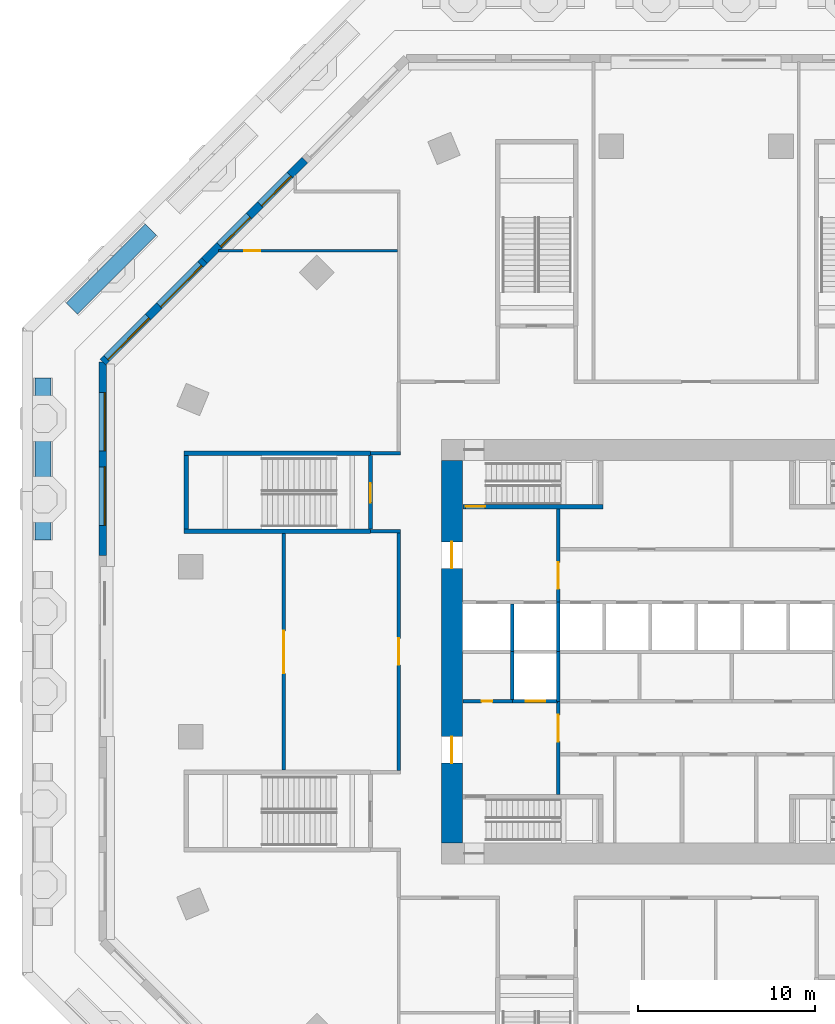
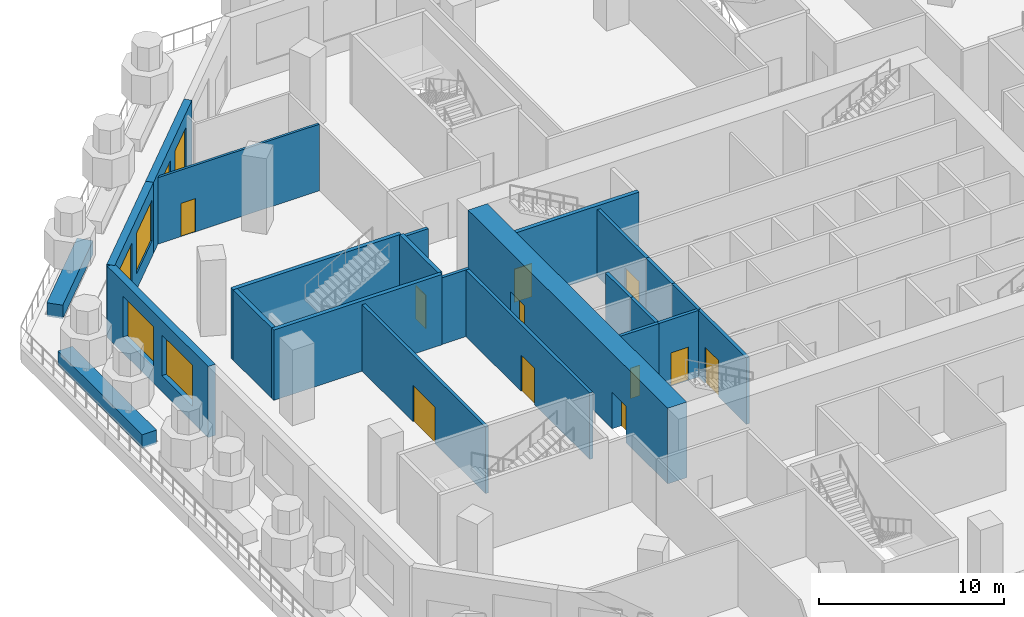
# One storey, part 5 of 13: 24 walls, 11 doors, 6 windows, 17 openings.
"""IFC4 building model written with IfcOpenShell, lengths in metres."""

import ifcopenshell
import ifcopenshell.guid

model = None  # the IFC model being written
_history = None  # IfcOwnerHistory: only IFC2X3 demands one
_inside = {}  # id of a spatial element -> (the spatial element, [elements in it])
_under = {}  # id of a project, library or spatial element -> (it, [spatial elements below it])
_declared = {}  # id of a project -> (the project, [libraries it declares])
_typed = {}  # id of a type object -> (the type object, [elements of that type])
_made_of = {}  # id of a material, layer set ... -> (it, [elements and type objects made of it])


def new_model(schema):
    """Start an empty IFC model of exactly this schema.

    Asked for "IFC4X3", IfcOpenShell would pick the latest addendum, in which some entities
    have other attributes; the version numbers below select the first issue.
    IFC2X3 requires an IfcOwnerHistory on every rooted entity: one is made here for all.
    """
    global model, _history
    if schema == "IFC4X3":
        model = ifcopenshell.file(schema_version=(4, 3, 0, 0))
    else:
        model = ifcopenshell.file(schema=schema)
    _inside.clear()
    _under.clear()
    _declared.clear()
    _typed.clear()
    _made_of.clear()
    _history = None
    if model.schema == "IFC2X3":
        org = make("IfcOrganization", Name="unknown")
        user = make(
            "IfcPersonAndOrganization",
            ThePerson=make("IfcPerson", FamilyName="unknown"),
            TheOrganization=org,
        )
        app = make(
            "IfcApplication",
            ApplicationDeveloper=org,
            Version="unknown",
            ApplicationFullName="unknown",
            ApplicationIdentifier="unknown",
        )
        _history = make(
            "IfcOwnerHistory",
            OwningUser=user,
            OwningApplication=app,
            ChangeAction="ADDED",
            CreationDate=0,
        )
    return model


def make(cls, **values):
    """One entity of the class cls with the attributes given. An attribute that is None is left unset."""
    return model.create_entity(
        cls, **{name: value for name, value in values.items() if value is not None}
    )


def rooted(cls, **values):
    """An entity with a GlobalId (a new one), such as an element, a storey or a relation."""
    return make(cls, GlobalId=ifcopenshell.guid.new(), OwnerHistory=_history, **values)


def si_unit(unit_type, name, prefix=None):
    """IfcSIUnit, for example si_unit("LENGTHUNIT", "METRE", prefix="MILLI")."""
    return make("IfcSIUnit", UnitType=unit_type, Prefix=prefix, Name=name)


def assignment(units):
    """IfcUnitAssignment: the units of a project."""
    return None if units is None else make("IfcUnitAssignment", Units=units)


def point(xyz):
    """IfcCartesianPoint."""
    return None if xyz is None else make("IfcCartesianPoint", Coordinates=xyz)


def direction(xyz):
    """IfcDirection."""
    return None if xyz is None else make("IfcDirection", DirectionRatios=xyz)


def frame(location, z_axis=None, x_axis=None):
    """IfcAxis2Placement3D, a coordinate frame: its origin and axes. An axis left out is left unset."""
    return make(
        "IfcAxis2Placement3D",
        Location=point(location),
        Axis=direction(z_axis),
        RefDirection=direction(x_axis),
    )


def frame_2d(location, x_axis=None):
    """IfcAxis2Placement2D, a coordinate frame in the plane: its origin and x axis."""
    return make(
        "IfcAxis2Placement2D", Location=point(location), RefDirection=direction(x_axis)
    )


def origin():
    """The frame at (0, 0, 0) with its axes left unset."""
    return frame((0.0, 0.0, 0.0))


def place(relative_to, where):
    """IfcLocalPlacement: puts the frame where relative to a parent placement (None: the world)."""
    return make(
        "IfcLocalPlacement", PlacementRelTo=relative_to, RelativePlacement=where
    )


def context(
    kind, dimensions, precision=None, world=None, true_north=None, identifier=None
):
    """IfcGeometricRepresentationContext, for example the 3D "Model" context."""
    return make(
        "IfcGeometricRepresentationContext",
        ContextIdentifier=identifier,
        ContextType=kind,
        CoordinateSpaceDimension=dimensions,
        Precision=precision,
        WorldCoordinateSystem=world,
        TrueNorth=true_north,
    )


def subcontext(parent, identifier, kind, view, scale=None):
    """IfcGeometricRepresentationSubContext, for example "Body" below "Model"."""
    return make(
        "IfcGeometricRepresentationSubContext",
        ContextIdentifier=identifier,
        ContextType=kind,
        ParentContext=parent,
        TargetScale=scale,
        TargetView=view,
    )


def project(units=None, contexts=None):
    """IfcProject with its units and contexts."""
    return rooted(
        "IfcProject",
        Name="project",
        RepresentationContexts=contexts,
        UnitsInContext=assignment(units),
    )


def spatial(cls, under=None, at=None, **own):
    """A site, building, storey or space (cls), placed at a placement, below another one or the project."""
    s = rooted(cls, ObjectPlacement=at, **own)
    if under is not None:
        _under.setdefault(under.id(), (under, []))[1].append(s)
    return s


def profile(cls, at=None, kind="AREA", **sizes):
    """A parametric profile (cls). Its sizes go by their IFC names, for example OverallWidth=200.0."""
    return make(cls, ProfileType=kind, Position=at, **sizes)


def rectangle(**sizes):
    """IfcRectangleProfileDef."""
    return profile("IfcRectangleProfileDef", **sizes)


def extrude(swept, where, along, depth):
    """IfcExtrudedAreaSolid: the profile swept, set in the frame where, extruded along a direction by depth."""
    return make(
        "IfcExtrudedAreaSolid",
        SweptArea=swept,
        Position=where,
        ExtrudedDirection=direction(along),
        Depth=depth,
    )


def shape(context_of_items, identifier, shape_type, items):
    """IfcShapeRepresentation: the items that make up one representation, for example the "Body"."""
    return make(
        "IfcShapeRepresentation",
        ContextOfItems=context_of_items,
        RepresentationIdentifier=identifier,
        RepresentationType=shape_type,
        Items=items,
    )


def material(Name=None, Category=None):
    """IfcMaterial."""
    return make("IfcMaterial", Name=Name, Category=Category)


def layer(
    of_material, thickness, ventilated=None, Name=None, Category=None, Priority=None
):
    """IfcMaterialLayer: one layer of a wall or slab, of a material (None: an air gap)."""
    return make(
        "IfcMaterialLayer",
        Material=of_material,
        LayerThickness=thickness,
        IsVentilated=ventilated,
        Name=Name,
        Category=Category,
        Priority=Priority,
    )


def layer_set(layers, Name=None):
    """IfcMaterialLayerSet."""
    return make("IfcMaterialLayerSet", MaterialLayers=layers, LayerSetName=Name)


def made_of(thing, what):
    """Note that an element or type object is made of a material, layer set ...; save() writes the relation."""
    if what is not None:
        _made_of.setdefault(what.id(), (what, []))[1].append(thing)
    return thing


def type_object(cls, material=None, **own):
    """A type object (cls), such as IfcWallType, which elements share."""
    return made_of(rooted(cls, **own), material)


def element(
    cls,
    number,
    at=None,
    inside=None,
    cuts=None,
    type_object=None,
    material=None,
    context=None,
    identifier="Body",
    shape_type=None,
    held_by="IfcProductDefinitionShape",
    body=None,
    shapes=None,
    **own,
):
    """One element of the class cls, such as IfcWall. Its Tag is "e" and its number.

    at: its placement. inside: the storey or other place that contains it. cuts: it is an
    opening in that element (IfcRelVoidsElement). A single representation is given by context,
    identifier, shape_type and body (its items); several are given by shapes. held_by: the class
    of the entity that holds the representations. save() writes the other relations.
    """
    e = rooted(cls, Tag="e%d" % number, ObjectPlacement=at, **own)
    if body is not None:
        shapes = [shape(context, identifier, shape_type, body)]
    if shapes is not None:
        e.Representation = make(held_by, Representations=shapes)
    if inside is not None:
        _inside.setdefault(inside.id(), (inside, []))[1].append(e)
    if cuts is not None:
        rooted(
            "IfcRelVoidsElement", RelatingBuildingElement=cuts, RelatedOpeningElement=e
        )
    if type_object is not None:
        _typed.setdefault(type_object.id(), (type_object, []))[1].append(e)
    return made_of(e, material)


def fill(opening, filler):
    """IfcRelFillsElement: the door or window that sits in an opening."""
    return rooted(
        "IfcRelFillsElement",
        RelatingOpeningElement=opening,
        RelatedBuildingElement=filler,
    )


def aggregate(whole, parts):
    """IfcRelAggregates: a whole, such as a stair, and the parts it consists of."""
    return rooted("IfcRelAggregates", RelatingObject=whole, RelatedObjects=parts)


def save(model, path):
    """Write the relations noted so far, then the file.

    IfcRelAggregates (storeys below a building ...), IfcRelContainedInSpatialStructure (elements
    in a storey), IfcRelDefinesByType, IfcRelAssociatesMaterial and IfcRelDeclares: one each for
    every whole, place, type object, material and project.
    """
    for whole, parts in _under.values():
        aggregate(whole, parts)
    for where, things in _inside.values():
        rooted(
            "IfcRelContainedInSpatialStructure",
            RelatedElements=things,
            RelatingStructure=where,
        )
    for kind, things in _typed.values():
        rooted("IfcRelDefinesByType", RelatedObjects=things, RelatingType=kind)
    for what, things in _made_of.values():
        rooted("IfcRelAssociatesMaterial", RelatedObjects=things, RelatingMaterial=what)
    for by, libraries in _declared.values():
        rooted("IfcRelDeclares", RelatingContext=by, RelatedDefinitions=libraries)
    model.write(path)


model = new_model("IFC4")

# Units and contexts
model_context = context("Model", 3, precision=1e-05, world=origin(), true_north=direction((0.0, 1.0)))
body_context = subcontext(model_context, "Body", "Model", "MODEL_VIEW")
ifc_project = project(units=[si_unit("LENGTHUNIT", "METRE"), si_unit("AREAUNIT", "SQUARE_METRE"), si_unit("VOLUMEUNIT", "CUBIC_METRE"), si_unit("PLANEANGLEUNIT", "RADIAN"), si_unit("MASSUNIT", "GRAM", prefix="KILO")], contexts=[model_context])

# Site, building, storey
site_placement = place(None, origin())
site = spatial("IfcSite", under=ifc_project, at=site_placement, CompositionType="ELEMENT")
building_placement = place(site_placement, origin())
building = spatial("IfcBuilding", under=site, at=building_placement, Name="Msitu Wima Residences", CompositionType="ELEMENT")
storey_placement = place(building_placement, frame((0.0, 0.0, 16.0)))
storey = spatial("IfcBuildingStorey", under=building, at=storey_placement, Name="L03", CompositionType="ELEMENT", Elevation=16.0)

# Wall, openings, windows
ifc_material_1 = material(Name="Brick (red buff mix), cavity wall of two leaves", Category="masonry")
ifc_layer_1 = layer(ifc_material_1, 0.449951171875)
ifc_layer_set_1 = layer_set([ifc_layer_1], Name="Brick (red buff mix), cavity wall of two leaves")
wall_type_1 = type_object("IfcWallType", Name="Brick infill wall BW450 podium", PredefinedType="ELEMENTEDWALL", material=ifc_layer_set_1)
wall_1_placement = place(storey_placement, frame((-22.101806640625, 27.780517578125, 0.0), z_axis=(0.0, 0.0, 1.0), x_axis=(-0.707106781187, -0.707106781187, 0.0)))
wall_1 = element("IfcWall", 1, at=wall_1_placement, inside=storey, type_object=wall_type_1, Name="Brick infill wall L03 NW1", PredefinedType="ELEMENTEDWALL", context=body_context, shape_type="SweptSolid", body=[
    extrude(rectangle(XDim=8.031005859375, YDim=0.449951171875, at=frame_2d((4.015625, 0.0))), origin(), (0.0, 0.0, 1.0), 4.699951171875),
])
opening_1_placement = place(wall_1_placement, frame((1.208251953125, 0.0, 1.050048828125)))
opening_1 = element("IfcOpeningElement", 2, at=opening_1_placement, cuts=wall_1, Name="Opening W03.017", PredefinedType="OPENING", context=body_context, shape_type="SweptSolid", body=[
    extrude(rectangle(XDim=2.360107421875, YDim=2.699951171875, at=frame_2d((1.18017578125, 1.35009765625))), frame((0.0, 0.23486328125, 0.0), z_axis=(0.0, -1.0, 0.0), x_axis=(1.0, 0.0, 0.0)), (0.0, 0.0, 1.0), 0.469970703125),
])
opening_2_placement = place(wall_1_placement, frame((4.46533203125, 0.0, 1.050048828125)))
opening_2 = element("IfcOpeningElement", 3, at=opening_2_placement, cuts=wall_1, Name="Opening W03.018", PredefinedType="OPENING", context=body_context, shape_type="SweptSolid", body=[
    extrude(rectangle(XDim=2.360107421875, YDim=2.699951171875, at=frame_2d((1.18017578125, 1.35009765625))), frame((0.0, 0.23486328125, 0.0), z_axis=(0.0, -1.0, 0.0), x_axis=(1.0, 0.0, 0.0)), (0.0, 0.0, 1.0), 0.469970703125),
])
ifc_material_2 = material(Name="Anodised aluminium, bronze finish, clear low-emissivity double glazing", Category="aluminium")
window_type_1 = type_object("IfcWindowType", Name="Window W2360x2700", PartitioningType="DOUBLE_PANEL_VERTICAL", PredefinedType="WINDOW", material=ifc_material_2)
window_1_placement = place(opening_1_placement, origin())
window_1 = element("IfcWindow", 4, at=window_1_placement, inside=storey, type_object=window_type_1, Name="Window L03 NW1.1b", OverallHeight=2.699951171875, OverallWidth=2.360107421875, PartitioningType="SINGLE_PANEL", PredefinedType="WINDOW", context=body_context, shape_type="SweptSolid", body=[
    extrude(rectangle(XDim=2.360107421875, YDim=2.699951171875, at=frame_2d((1.18017578125, 1.35009765625))), frame((0.0, 0.135009765625, 0.0), z_axis=(0.0, -1.0, 0.0), x_axis=(1.0, 0.0, 0.0)), (0.0, 0.0, 1.0), 0.06005859375),
])
fill(opening_1, window_1)
window_2_placement = place(opening_2_placement, origin())
window_2 = element("IfcWindow", 5, at=window_2_placement, inside=storey, type_object=window_type_1, Name="Window L03 NW1.2a", OverallHeight=2.699951171875, OverallWidth=2.360107421875, PartitioningType="SINGLE_PANEL", PredefinedType="WINDOW", context=body_context, shape_type="SweptSolid", body=[
    extrude(rectangle(XDim=2.360107421875, YDim=2.699951171875, at=frame_2d((1.18017578125, 1.35009765625))), frame((0.0, 0.135009765625, 0.0), z_axis=(0.0, -1.0, 0.0), x_axis=(1.0, 0.0, 0.0)), (0.0, 0.0, 1.0), 0.06005859375),
])
fill(opening_2, window_2)

wall_2_placement = place(storey_placement, frame((-27.780517578125, 22.101806640625, 0.0), z_axis=(0.0, 0.0, 1.0), x_axis=(-0.707091755064, -0.70712180699, 0.0)))
wall_2 = element("IfcWall", 6, at=wall_2_placement, inside=storey, type_object=wall_type_1, Name="Brick infill wall L03 NW2", PredefinedType="ELEMENTEDWALL", context=body_context, shape_type="SweptSolid", body=[
    extrude(rectangle(XDim=8.1240234375, YDim=0.449951171875, at=frame_2d((4.06201171875, 0.0))), origin(), (0.0, 0.0, 1.0), 4.699951171875),
])
opening_3_placement = place(wall_2_placement, frame((0.31201171875, 0.0, 1.050048828125)))
opening_3 = element("IfcOpeningElement", 7, at=opening_3_placement, cuts=wall_2, Name="Opening W03.019", PredefinedType="OPENING", context=body_context, shape_type="SweptSolid", body=[
    extrude(rectangle(XDim=3.300048828125, YDim=2.699951171875, at=frame_2d((1.64990234375, 1.35009765625))), frame((0.0, 0.23486328125, 0.0), z_axis=(0.0, -1.0, 0.0), x_axis=(1.0, 0.0, 0.0)), (0.0, 0.0, 1.0), 0.469970703125),
])
opening_4_placement = place(wall_2_placement, frame((4.511962890625, 0.0, 1.050048828125)))
opening_4 = element("IfcOpeningElement", 8, at=opening_4_placement, cuts=wall_2, Name="Opening W03.020", PredefinedType="OPENING", context=body_context, shape_type="SweptSolid", body=[
    extrude(rectangle(XDim=3.300048828125, YDim=2.699951171875, at=frame_2d((1.64990234375, 1.35009765625))), frame((0.0, 0.23486328125, 0.0), z_axis=(0.0, -1.0, 0.0), x_axis=(1.0, 0.0, 0.0)), (0.0, 0.0, 1.0), 0.469970703125),
])
window_type_2 = type_object("IfcWindowType", Name="Window W3300x2700", PartitioningType="DOUBLE_PANEL_VERTICAL", PredefinedType="WINDOW", material=ifc_material_2)
window_3_placement = place(opening_3_placement, origin())
window_3 = element("IfcWindow", 9, at=window_3_placement, inside=storey, type_object=window_type_2, Name="Window L03 NW2.1", OverallHeight=2.699951171875, OverallWidth=3.300048828125, PartitioningType="SINGLE_PANEL", PredefinedType="WINDOW", context=body_context, shape_type="SweptSolid", body=[
    extrude(rectangle(XDim=3.300048828125, YDim=2.699951171875, at=frame_2d((1.64990234375, 1.35009765625))), frame((0.0, 0.135009765625, 0.0), z_axis=(0.0, -1.0, 0.0), x_axis=(1.0, 0.0, 0.0)), (0.0, 0.0, 1.0), 0.06005859375),
])
fill(opening_3, window_3)
window_4_placement = place(opening_4_placement, origin())
window_4 = element("IfcWindow", 10, at=window_4_placement, inside=storey, type_object=window_type_2, Name="Window L03 NW2.2", OverallHeight=2.699951171875, OverallWidth=3.300048828125, PartitioningType="SINGLE_PANEL", PredefinedType="WINDOW", context=body_context, shape_type="SweptSolid", body=[
    extrude(rectangle(XDim=3.300048828125, YDim=2.699951171875, at=frame_2d((1.64990234375, 1.35009765625))), frame((0.0, 0.135009765625, 0.0), z_axis=(0.0, -1.0, 0.0), x_axis=(1.0, 0.0, 0.0)), (0.0, 0.0, 1.0), 0.06005859375),
])
fill(opening_4, window_4)

wall_3_placement = place(storey_placement, frame((-33.52490234375, 16.357177734375, 0.0), z_axis=(0.0, 0.0, 1.0), x_axis=(0.0, -1.0, 0.0)))
wall_3 = element("IfcWall", 11, at=wall_3_placement, inside=storey, type_object=wall_type_1, Name="Brick infill wall L03 W0", PredefinedType="ELEMENTEDWALL", context=body_context, shape_type="SweptSolid", body=[
    extrude(rectangle(XDim=10.935791015625, YDim=0.449951171875, at=frame_2d((5.4677734375, 0.0))), origin(), (0.0, 0.0, 1.0), 4.699951171875),
])
opening_5_placement = place(wall_3_placement, frame((1.718017578125, 0.0, 1.050048828125)))
opening_5 = element("IfcOpeningElement", 12, at=opening_5_placement, cuts=wall_3, Name="Opening W03.036", PredefinedType="OPENING", context=body_context, shape_type="SweptSolid", body=[
    extrude(rectangle(XDim=3.300048828125, YDim=2.699951171875, at=frame_2d((1.64990234375, 1.35009765625))), frame((0.0, 0.23486328125, 0.0), z_axis=(0.0, -1.0, 0.0), x_axis=(1.0, 0.0, 0.0)), (0.0, 0.0, 1.0), 0.469970703125),
])
opening_6_placement = place(wall_3_placement, frame((5.91796875, 0.0, 1.050048828125)))
opening_6 = element("IfcOpeningElement", 13, at=opening_6_placement, cuts=wall_3, Name="Opening W03.037", PredefinedType="OPENING", context=body_context, shape_type="SweptSolid", body=[
    extrude(rectangle(XDim=3.300048828125, YDim=2.699951171875, at=frame_2d((1.64990234375, 1.35009765625))), frame((0.0, 0.23486328125, 0.0), z_axis=(0.0, -1.0, 0.0), x_axis=(1.0, 0.0, 0.0)), (0.0, 0.0, 1.0), 0.469970703125),
])
window_5_placement = place(opening_5_placement, origin())
window_5 = element("IfcWindow", 14, at=window_5_placement, inside=storey, type_object=window_type_2, Name="Window L03 W0.1", OverallHeight=2.699951171875, OverallWidth=3.300048828125, PartitioningType="SINGLE_PANEL", PredefinedType="WINDOW", context=body_context, shape_type="SweptSolid", body=[
    extrude(rectangle(XDim=3.300048828125, YDim=2.699951171875, at=frame_2d((1.64990234375, 1.35009765625))), frame((0.0, 0.135009765625, 0.0), z_axis=(0.0, -1.0, 0.0), x_axis=(1.0, 0.0, 0.0)), (0.0, 0.0, 1.0), 0.06005859375),
])
fill(opening_5, window_5)
window_6_placement = place(opening_6_placement, origin())
window_6 = element("IfcWindow", 15, at=window_6_placement, inside=storey, type_object=window_type_2, Name="Window L03 W0.2", OverallHeight=2.699951171875, OverallWidth=3.300048828125, PartitioningType="SINGLE_PANEL", PredefinedType="WINDOW", context=body_context, shape_type="SweptSolid", body=[
    extrude(rectangle(XDim=3.300048828125, YDim=2.699951171875, at=frame_2d((1.64990234375, 1.35009765625))), frame((0.0, 0.135009765625, 0.0), z_axis=(0.0, -1.0, 0.0), x_axis=(1.0, 0.0, 0.0)), (0.0, 0.0, 1.0), 0.06005859375),
])
fill(opening_6, window_6)

# Wall, openings, doors
ifc_material_3 = material(Name="Concrete C80/95", Category="concrete")
ifc_layer_2 = layer(ifc_material_3, 1.199951171875)
ifc_layer_set_2 = layer_set([ifc_layer_2], Name="Concrete C80/95")
wall_type_2 = type_object("IfcWallType", Name="Core wall CW1200 C80/95", PredefinedType="SHEAR", material=ifc_layer_set_2)
wall_4_placement = place(storey_placement, frame((-13.800048828125, -10.800048828125, 0.0), z_axis=(0.0, 0.0, 1.0), x_axis=(0.0, 1.0, 0.0)))
wall_4 = element("IfcWall", 16, at=wall_4_placement, inside=storey, type_object=wall_type_2, Name="Core wall", PredefinedType="SHEAR", context=body_context, shape_type="SweptSolid", body=[
    extrude(rectangle(XDim=21.60009765625, YDim=1.199951171875, at=frame_2d((10.800048828125, 0.0))), origin(), (0.0, 0.0, 1.0), 5.0),
])
opening_7_placement = place(wall_4_placement, frame((15.5, 0.0, 0.0)))
opening_7 = element("IfcOpeningElement", 17, at=opening_7_placement, cuts=wall_4, Name="Opening D03.050", PredefinedType="OPENING", context=body_context, shape_type="SweptSolid", body=[
    extrude(rectangle(XDim=1.5, YDim=2.39990234375, at=frame_2d((0.75, 1.199951171875))), frame((0.0, 0.60986328125, 0.0), z_axis=(0.0, -1.0, 0.0), x_axis=(1.0, 0.0, 0.0)), (0.0, 0.0, 1.0), 1.219970703125),
])
opening_8_placement = place(wall_4_placement, frame((4.5, 0.0, 0.0)))
opening_8 = element("IfcOpeningElement", 18, at=opening_8_placement, cuts=wall_4, Name="Opening D03.051", PredefinedType="OPENING", context=body_context, shape_type="SweptSolid", body=[
    extrude(rectangle(XDim=1.5, YDim=2.39990234375, at=frame_2d((0.75, 1.199951171875))), frame((0.0, 0.60986328125, 0.0), z_axis=(0.0, -1.0, 0.0), x_axis=(1.0, 0.0, 0.0)), (0.0, 0.0, 1.0), 1.219970703125),
])
ifc_material_4 = material(Name="Steel framed glazed door, fire resisting", Category="steel")
door_type_1 = type_object("IfcDoorType", Name="Lobby door D07 1500x2400", OperationType="DOUBLE_DOOR_SINGLE_SWING", PredefinedType="DOOR", material=ifc_material_4)
door_1_placement = place(opening_7_placement, origin())
door_1 = element("IfcDoor", 19, at=door_1_placement, inside=storey, type_object=door_type_1, Name="Lobby door", OperationType="DOUBLE_DOOR_SINGLE_SWING", OverallHeight=2.39990234375, OverallWidth=1.5, PredefinedType="DOOR", context=body_context, shape_type="SweptSolid", body=[
    extrude(rectangle(XDim=1.5, YDim=2.39990234375, at=frame_2d((0.75, 1.199951171875))), frame((0.0, 0.02490234375, 0.0), z_axis=(0.0, -1.0, 0.0), x_axis=(1.0, 0.0, 0.0)), (0.0, 0.0, 1.0), 0.050048828125),
])
fill(opening_7, door_1)
door_2_placement = place(opening_8_placement, origin())
door_2 = element("IfcDoor", 20, at=door_2_placement, inside=storey, type_object=door_type_1, Name="Lobby door", OperationType="DOUBLE_DOOR_SINGLE_SWING", OverallHeight=2.39990234375, OverallWidth=1.5, PredefinedType="DOOR", context=body_context, shape_type="SweptSolid", body=[
    extrude(rectangle(XDim=1.5, YDim=2.39990234375, at=frame_2d((0.75, 1.199951171875))), frame((0.0, 0.02490234375, 0.0), z_axis=(0.0, -1.0, 0.0), x_axis=(1.0, 0.0, 0.0)), (0.0, 0.0, 1.0), 0.050048828125),
])
fill(opening_8, door_2)

# Wall, opening, door
ifc_material_5 = material(Name="Plaster")
ifc_layer_3 = layer(ifc_material_5, 0.011962890625, Name="Plaster")
ifc_material_6 = material(Name="Concrete blockwork", Category="masonry")
ifc_layer_4 = layer(ifc_material_6, 0.176025390625, Name="Concrete blockwork")
ifc_layer_5 = layer(ifc_material_5, 0.011962890625, Name="Plaster")
ifc_layer_set_3 = layer_set([ifc_layer_3, ifc_layer_4, ifc_layer_5], Name="Concrete blockwork")
wall_type_3 = type_object("IfcWallType", Name="Corridor wall FW200", PredefinedType="PARTITIONING", material=ifc_layer_set_3)
wall_5_placement = place(storey_placement, frame((-23.300048828125, -6.675048828125, 0.0), z_axis=(0.0, 0.0, 1.0), x_axis=(0.0, 1.0, 0.0)))
wall_5 = element("IfcWall", 21, at=wall_5_placement, inside=storey, type_object=wall_type_3, Name="Corridor wall", PredefinedType="PARTITIONING", context=body_context, shape_type="SweptSolid", body=[
    extrude(rectangle(XDim=13.35009765625, YDim=0.199951171875, at=frame_2d((6.675048828125, 0.0))), origin(), (0.0, 0.0, 1.0), 4.39990234375),
])
opening_9_placement = place(wall_5_placement, frame((5.449951171875, 0.0, 0.0)))
opening_9 = element("IfcOpeningElement", 22, at=opening_9_placement, cuts=wall_5, Name="Opening D03.030", PredefinedType="OPENING", context=body_context, shape_type="SweptSolid", body=[
    extrude(rectangle(XDim=2.39990234375, YDim=2.39990234375, at=frame_2d((1.199951171875, 1.199951171875))), frame((0.0, 0.10986328125, 0.0), z_axis=(0.0, -1.0, 0.0), x_axis=(1.0, 0.0, 0.0)), (0.0, 0.0, 1.0), 0.219970703125),
])
ifc_material_7 = material(Name="Black aluminium glazed door", Category="aluminium")
door_type_2 = type_object("IfcDoorType", Name="Amenity door D14 2400x2400", OperationType="DOUBLE_DOOR_SINGLE_SWING", PredefinedType="DOOR", material=ifc_material_7)
door_3_placement = place(opening_9_placement, origin())
door_3 = element("IfcDoor", 23, at=door_3_placement, inside=storey, type_object=door_type_2, Name="Amenity door", OperationType="DOUBLE_DOOR_SINGLE_SWING", OverallHeight=2.39990234375, OverallWidth=2.39990234375, PredefinedType="DOOR", context=body_context, shape_type="SweptSolid", body=[
    extrude(rectangle(XDim=2.39990234375, YDim=2.39990234375, at=frame_2d((1.199951171875, 1.199951171875))), frame((0.0, 0.02490234375, 0.0), z_axis=(0.0, -1.0, 0.0), x_axis=(1.0, 0.0, 0.0)), (0.0, 0.0, 1.0), 0.050048828125),
])
fill(opening_9, door_3)

# Walls
for number, where, z_axis, x_axis, name in (
    (24, (-18.39990234375, 6.800048828125, 0.0), (0.0, 0.0, 1.0), (1.0, 0.0, 0.0), "Corridor wall"),
    (25, (-18.39990234375, 11.199951171875, 0.0), (0.0, 0.0, 1.0), (1.0, 0.0, 0.0), "Corridor wall"),
):
    element("IfcWall", number, at=place(storey_placement, frame(where, z_axis=z_axis, x_axis=x_axis)), inside=storey, type_object=wall_type_3, Name=name, PredefinedType="PARTITIONING", context=body_context, shape_type="SweptSolid", body=[
        extrude(rectangle(XDim=1.699951171875, YDim=0.199951171875, at=frame_2d((0.85009765625, 0.0))), origin(), (0.0, 0.0, 1.0), 4.39990234375),
    ])

# Wall, opening, door
wall_6_placement = place(storey_placement, frame((-16.800048828125, -6.699951171875, 0.0), z_axis=(0.0, 0.0, 1.0), x_axis=(0.0, 1.0, 0.0)))
wall_6 = element("IfcWall", 26, at=wall_6_placement, inside=storey, type_object=wall_type_3, Name="Corridor wall", PredefinedType="PARTITIONING", context=body_context, shape_type="SweptSolid", body=[
    extrude(rectangle(XDim=13.39990234375, YDim=0.199951171875, at=frame_2d((6.699951171875, 0.0))), origin(), (0.0, 0.0, 1.0), 4.39990234375),
])
opening_10_placement = place(wall_6_placement, frame((5.949951171875, 0.0, 0.0)))
opening_10 = element("IfcOpeningElement", 27, at=opening_10_placement, cuts=wall_6, Name="Opening D03.029", PredefinedType="OPENING", context=body_context, shape_type="SweptSolid", body=[
    extrude(rectangle(XDim=1.5, YDim=2.39990234375, at=frame_2d((0.75, 1.199951171875))), frame((0.0, 0.10986328125, 0.0), z_axis=(0.0, -1.0, 0.0), x_axis=(1.0, 0.0, 0.0)), (0.0, 0.0, 1.0), 0.219970703125),
])
door_4_placement = place(opening_10_placement, origin())
door_4 = element("IfcDoor", 28, at=door_4_placement, inside=storey, type_object=door_type_1, Name="Lobby door", OperationType="DOUBLE_DOOR_SINGLE_SWING", OverallHeight=2.39990234375, OverallWidth=1.5, PredefinedType="DOOR", context=body_context, shape_type="SweptSolid", body=[
    extrude(rectangle(XDim=1.5, YDim=2.39990234375, at=frame_2d((0.75, 1.199951171875))), frame((0.0, 0.02490234375, 0.0), z_axis=(0.0, -1.0, 0.0), x_axis=(1.0, 0.0, 0.0)), (0.0, 0.0, 1.0), 0.050048828125),
])
fill(opening_10, door_4)

wall_7_placement = place(storey_placement, frame((-7.800048828125, -8.074951171875, 0.0), z_axis=(0.0, 0.0, 1.0), x_axis=(0.0, 1.0, 0.0)))
wall_7 = element("IfcWall", 29, at=wall_7_placement, inside=storey, type_object=wall_type_3, Name="Corridor wall", PredefinedType="PARTITIONING", context=body_context, shape_type="SweptSolid", body=[
    extrude(rectangle(XDim=5.27490234375, YDim=0.199951171875, at=frame_2d((2.637451171875, 0.0))), origin(), (0.0, 0.0, 1.0), 4.39990234375),
])
opening_11_placement = place(wall_7_placement, frame((3.0, 0.0, 0.0)))
opening_11 = element("IfcOpeningElement", 30, at=opening_11_placement, cuts=wall_7, Name="Opening D03.011", PredefinedType="OPENING", context=body_context, shape_type="SweptSolid", body=[
    extrude(rectangle(XDim=1.5, YDim=2.39990234375, at=frame_2d((0.75, 1.199951171875))), frame((0.0, 0.10986328125, 0.0), z_axis=(0.0, -1.0, 0.0), x_axis=(1.0, 0.0, 0.0)), (0.0, 0.0, 1.0), 0.219970703125),
])
door_5_placement = place(opening_11_placement, origin())
door_5 = element("IfcDoor", 31, at=door_5_placement, inside=storey, type_object=door_type_1, Name="Lobby door", OperationType="DOUBLE_DOOR_SINGLE_SWING", OverallHeight=2.39990234375, OverallWidth=1.5, PredefinedType="DOOR", context=body_context, shape_type="SweptSolid", body=[
    extrude(rectangle(XDim=1.5, YDim=2.39990234375, at=frame_2d((0.75, 1.199951171875))), frame((0.0, 0.02490234375, 0.0), z_axis=(0.0, -1.0, 0.0), x_axis=(1.0, 0.0, 0.0)), (0.0, 0.0, 1.0), 0.050048828125),
])
fill(opening_11, door_5)

wall_8_placement = place(storey_placement, frame((-7.800048828125, 2.800048828125, 0.0), z_axis=(0.0, 0.0, 1.0), x_axis=(0.0, 1.0, 0.0)))
wall_8 = element("IfcWall", 32, at=wall_8_placement, inside=storey, type_object=wall_type_3, Name="Corridor wall", PredefinedType="PARTITIONING", context=body_context, shape_type="SweptSolid", body=[
    extrude(rectangle(XDim=5.27490234375, YDim=0.199951171875, at=frame_2d((2.637451171875, 0.0))), origin(), (0.0, 0.0, 1.0), 4.39990234375),
])
opening_12_placement = place(wall_8_placement, frame((0.75, 0.0, 0.0)))
opening_12 = element("IfcOpeningElement", 33, at=opening_12_placement, cuts=wall_8, Name="Opening D03.010", PredefinedType="OPENING", context=body_context, shape_type="SweptSolid", body=[
    extrude(rectangle(XDim=1.5, YDim=2.39990234375, at=frame_2d((0.75, 1.199951171875))), frame((0.0, 0.10986328125, 0.0), z_axis=(0.0, -1.0, 0.0), x_axis=(1.0, 0.0, 0.0)), (0.0, 0.0, 1.0), 0.219970703125),
])
door_6_placement = place(opening_12_placement, origin())
door_6 = element("IfcDoor", 34, at=door_6_placement, inside=storey, type_object=door_type_1, Name="Lobby door", OperationType="DOUBLE_DOOR_SINGLE_SWING", OverallHeight=2.39990234375, OverallWidth=1.5, PredefinedType="DOOR", context=body_context, shape_type="SweptSolid", body=[
    extrude(rectangle(XDim=1.5, YDim=2.39990234375, at=frame_2d((0.75, 1.199951171875))), frame((0.0, 0.02490234375, 0.0), z_axis=(0.0, -1.0, 0.0), x_axis=(1.0, 0.0, 0.0)), (0.0, 0.0, 1.0), 0.050048828125),
])
fill(opening_12, door_6)

ifc_layer_6 = layer(ifc_material_5, 0.011962890625, Name="Plaster")
ifc_layer_7 = layer(ifc_material_6, 0.1259765625, Name="Concrete blockwork")
ifc_layer_8 = layer(ifc_material_5, 0.011962890625, Name="Plaster")
ifc_layer_set_4 = layer_set([ifc_layer_6, ifc_layer_7, ifc_layer_8], Name="Concrete blockwork")
wall_type_4 = type_object("IfcWallType", Name="Partition PW150", PredefinedType="PARTITIONING", material=ifc_layer_set_4)
wall_9_placement = place(storey_placement, frame((-26.98583984375, 22.65576171875, 0.0), z_axis=(0.0, 0.0, 1.0), x_axis=(1.0, 0.0, 0.0)))
wall_9 = element("IfcWall", 35, at=wall_9_placement, inside=storey, type_object=wall_type_4, Name="Partition", PredefinedType="PARTITIONING", context=body_context, shape_type="SweptSolid", body=[
    extrude(rectangle(XDim=10.11083984375, YDim=0.14990234375, at=frame_2d((5.055419921875, 0.0))), origin(), (0.0, 0.0, 1.0), 4.39990234375),
])
opening_13_placement = place(wall_9_placement, frame((1.449951171875, 0.0, 0.0)))
opening_13 = element("IfcOpeningElement", 36, at=opening_13_placement, cuts=wall_9, Name="Opening D03.031", PredefinedType="OPENING", context=body_context, shape_type="SweptSolid", body=[
    extrude(rectangle(XDim=0.89990234375, YDim=2.199951171875, at=frame_2d((0.449951171875, 1.10009765625))), frame((0.0, 0.0849609375, 0.0), z_axis=(0.0, -1.0, 0.0), x_axis=(1.0, 0.0, 0.0)), (0.0, 0.0, 1.0), 0.169921875),
])
ifc_material_8 = material(Name="Timber flush door", Category="wood")
door_type_3 = type_object("IfcDoorType", Name="Service door D05 900x2200", OperationType="SINGLE_SWING_LEFT", PredefinedType="DOOR", material=ifc_material_8)
door_7_placement = place(opening_13_placement, origin())
door_7 = element("IfcDoor", 37, at=door_7_placement, inside=storey, type_object=door_type_3, Name="Service door", OperationType="SINGLE_SWING_LEFT", OverallHeight=2.199951171875, OverallWidth=0.89990234375, PredefinedType="DOOR", context=body_context, shape_type="SweptSolid", body=[
    extrude(rectangle(XDim=0.89990234375, YDim=2.199951171875, at=frame_2d((0.449951171875, 1.10009765625))), frame((0.0, 0.02490234375, 0.0), z_axis=(0.0, -1.0, 0.0), x_axis=(1.0, 0.0, 0.0)), (0.0, 0.0, 1.0), 0.050048828125),
])
fill(opening_13, door_7)

ifc_layer_9 = layer(ifc_material_5, 0.011962890625, Name="Plaster")
ifc_material_9 = material(Name="Reinforced concrete blockwork", Category="masonry")
ifc_layer_10 = layer(ifc_material_9, 0.176025390625, Name="Reinforced concrete blockwork")
ifc_layer_11 = layer(ifc_material_5, 0.011962890625, Name="Plaster")
ifc_layer_set_5 = layer_set([ifc_layer_9, ifc_layer_10, ifc_layer_11], Name="Reinforced concrete blockwork")
wall_type_5 = type_object("IfcWallType", Name="Plant and riser wall PL200", PredefinedType="PARTITIONING", material=ifc_layer_set_5)
wall_10_placement = place(storey_placement, frame((-13.169921875, -2.800048828125, 0.0), z_axis=(0.0, 0.0, 1.0), x_axis=(1.0, 0.0, 0.0)))
wall_10 = element("IfcWall", 38, at=wall_10_placement, inside=storey, type_object=wall_type_5, Name="Plant and riser wall", PredefinedType="PARTITIONING", context=body_context, shape_type="SweptSolid", body=[
    extrude(rectangle(XDim=2.7900390625, YDim=0.199951171875, at=frame_2d((1.39501953125, 0.0))), origin(), (0.0, 0.0, 1.0), 4.39990234375),
])
opening_14_placement = place(wall_10_placement, frame((1.050048828125, 0.0, 0.0)))
opening_14 = element("IfcOpeningElement", 39, at=opening_14_placement, cuts=wall_10, Name="Opening D03.020", PredefinedType="OPENING", context=body_context, shape_type="SweptSolid", body=[
    extrude(rectangle(XDim=0.60009765625, YDim=2.0, at=frame_2d((0.300048828125, 1.0))), frame((0.0, 0.10986328125, 0.0), z_axis=(0.0, -1.0, 0.0), x_axis=(1.0, 0.0, 0.0)), (0.0, 0.0, 1.0), 0.219970703125),
])
ifc_material_10 = material(Name="Steel access door, fire resisting", Category="steel")
door_type_4 = type_object("IfcDoorType", Name="Riser access door D08 600x2000", OperationType="SINGLE_SWING_LEFT", PredefinedType="DOOR", material=ifc_material_10)
door_8_placement = place(opening_14_placement, origin())
door_8 = element("IfcDoor", 40, at=door_8_placement, inside=storey, type_object=door_type_4, Name="Riser access door", OperationType="SINGLE_SWING_RIGHT", OverallHeight=2.0, OverallWidth=0.60009765625, PredefinedType="DOOR", context=body_context, shape_type="SweptSolid", body=[
    extrude(rectangle(XDim=0.60009765625, YDim=2.0, at=frame_2d((0.300048828125, 1.0))), frame((0.0, 0.02490234375, 0.0), z_axis=(0.0, -1.0, 0.0), x_axis=(1.0, 0.0, 0.0)), (0.0, 0.0, 1.0), 0.050048828125),
])
fill(opening_14, door_8)

# Wall
ifc_material_11 = material(Name="Fire-rated board")
ifc_layer_12 = layer(ifc_material_11, 0.02490234375, Name="Fire-rated board")
ifc_material_12 = material(Name="Light-gauge stud framing with mineral wool")
ifc_layer_13 = layer(ifc_material_12, 0.14990234375, Name="Light-gauge stud framing with mineral wool")
ifc_layer_14 = layer(ifc_material_11, 0.02490234375, Name="Fire-rated board")
ifc_layer_set_6 = layer_set([ifc_layer_12, ifc_layer_13, ifc_layer_14], Name="Light-gauge stud framing with mineral wool")
wall_type_6 = type_object("IfcWallType", Name="Shaft wall SH200", PredefinedType="PARTITIONING", material=ifc_layer_set_6)
wall_11_placement = place(storey_placement, frame((-10.39990234375, -2.699951171875, 0.0), z_axis=(0.0, 0.0, 1.0), x_axis=(0.0, 1.0, 0.0)))
element("IfcWall", 41, at=wall_11_placement, inside=storey, type_object=wall_type_6, Name="Shaft wall", PredefinedType="PARTITIONING", context=body_context, shape_type="SweptSolid", body=[
    extrude(rectangle(XDim=2.699951171875, YDim=0.199951171875, at=frame_2d((1.35009765625, 0.0))), origin(), (0.0, 0.0, 1.0), 4.39990234375),
])

# Wall, opening, door
wall_12_placement = place(storey_placement, frame((-10.3798828125, -2.800048828125, 0.0), z_axis=(0.0, 0.0, 1.0), x_axis=(1.0, 0.0, 0.0)))
wall_12 = element("IfcWall", 42, at=wall_12_placement, inside=storey, type_object=wall_type_6, Name="Shaft wall", PredefinedType="PARTITIONING", context=body_context, shape_type="SweptSolid", body=[
    extrude(rectangle(XDim=2.559814453125, YDim=0.199951171875, at=frame_2d((1.27978515625, 0.0))), origin(), (0.0, 0.0, 1.0), 4.39990234375),
])
opening_15_placement = place(wall_12_placement, frame((0.75, 0.0, 0.0)))
opening_15 = element("IfcOpeningElement", 43, at=opening_15_placement, cuts=wall_12, Name="Opening LD", PredefinedType="OPENING", context=body_context, shape_type="SweptSolid", body=[
    extrude(rectangle(XDim=1.10009765625, YDim=2.199951171875, at=frame_2d((0.550048828125, 1.10009765625))), frame((0.0, 0.10986328125, 0.0), z_axis=(0.0, -1.0, 0.0), x_axis=(1.0, 0.0, 0.0)), (0.0, 0.0, 1.0), 0.219970703125),
])
ifc_material_13 = material(Name="Stainless steel centre-opening landing door, rated", Category="steel")
door_type_5 = type_object("IfcDoorType", Name="Lift landing door LD 1100x2200", OperationType="DOUBLE_DOOR_SLIDING", PredefinedType="DOOR", material=ifc_material_13)
door_9_placement = place(opening_15_placement, origin())
door_9 = element("IfcDoor", 44, at=door_9_placement, inside=storey, type_object=door_type_5, Name="Lift landing door LD3", OperationType="DOUBLE_DOOR_SLIDING", OverallHeight=2.199951171875, OverallWidth=1.10009765625, PredefinedType="DOOR", context=body_context, shape_type="SweptSolid", body=[
    extrude(rectangle(XDim=1.10009765625, YDim=2.199951171875, at=frame_2d((0.550048828125, 1.10009765625))), frame((0.0, 0.02490234375, 0.0), z_axis=(0.0, -1.0, 0.0), x_axis=(1.0, 0.0, 0.0)), (0.0, 0.0, 1.0), 0.050048828125),
])
fill(opening_15, door_9)

# Walls
wall_13_placement = place(storey_placement, frame((-10.39990234375, 0.0, 0.0), z_axis=(0.0, 0.0, 1.0), x_axis=(0.0, 1.0, 0.0)))
element("IfcWall", 45, at=wall_13_placement, inside=storey, type_object=wall_type_6, Name="Shaft wall", PredefinedType="PARTITIONING", context=body_context, shape_type="SweptSolid", body=[
    extrude(rectangle(XDim=2.699951171875, YDim=0.199951171875, at=frame_2d((1.35009765625, 0.0))), origin(), (0.0, 0.0, 1.0), 4.39990234375),
])
for number, where, z_axis, x_axis, name in (
    (46, (-7.800048828125, -2.800048828125, 0.0), (0.0, 0.0, 1.0), (0.0, 1.0, 0.0), "Shaft wall"),
    (47, (-7.800048828125, 0.0, 0.0), (0.0, 0.0, 1.0), (0.0, 1.0, 0.0), "Shaft wall"),
):
    element("IfcWall", number, at=place(storey_placement, frame(where, z_axis=z_axis, x_axis=x_axis)), inside=storey, type_object=wall_type_6, Name=name, PredefinedType="PARTITIONING", context=body_context, shape_type="SweptSolid", body=[
        extrude(rectangle(XDim=2.800048828125, YDim=0.199951171875, at=frame_2d((1.39990234375, 0.0))), origin(), (0.0, 0.0, 1.0), 4.39990234375),
    ])
ifc_material_14 = material(Name="Concrete C50/60", Category="concrete")
ifc_layer_15 = layer(ifc_material_14, 0.25)
ifc_layer_set_7 = layer_set([ifc_layer_15], Name="Concrete C50/60")
wall_type_7 = type_object("IfcWallType", Name="Stair enclosure wall SW250", PredefinedType="SHEAR", material=ifc_layer_set_7)
wall_14_placement = place(storey_placement, frame((-28.800048828125, 6.925048828125, 0.0), z_axis=(0.0, 0.0, 1.0), x_axis=(0.0, 1.0, 0.0)))
element("IfcWall", 48, at=wall_14_placement, inside=storey, type_object=wall_type_7, Name="Stair enclosure wall", PredefinedType="SHEAR", context=body_context, shape_type="SweptSolid", body=[
    extrude(rectangle(XDim=4.14990234375, YDim=0.25, at=frame_2d((2.074951171875, 0.0))), origin(), (0.0, 0.0, 1.0), 4.64990234375),
])
for number, where, z_axis, x_axis, name in (
    (49, (-28.925048828125, 6.800048828125, 0.0), (0.0, 0.0, 1.0), (1.0, 0.0, 0.0), "Stair enclosure wall"),
    (50, (-28.925048828125, 11.199951171875, 0.0), (0.0, 0.0, 1.0), (1.0, 0.0, 0.0), "Stair enclosure wall"),
):
    element("IfcWall", number, at=place(storey_placement, frame(where, z_axis=z_axis, x_axis=x_axis)), inside=storey, type_object=wall_type_7, Name=name, PredefinedType="SHEAR", context=body_context, shape_type="SweptSolid", body=[
        extrude(rectangle(XDim=10.525146484375, YDim=0.25, at=frame_2d((5.2626953125, 0.0))), origin(), (0.0, 0.0, 1.0), 4.64990234375),
    ])

# Wall, opening, door
wall_15_placement = place(storey_placement, frame((-18.39990234375, 6.925048828125, 0.0), z_axis=(0.0, 0.0, 1.0), x_axis=(0.0, 1.0, 0.0)))
wall_15 = element("IfcWall", 51, at=wall_15_placement, inside=storey, type_object=wall_type_7, Name="Stair enclosure wall", PredefinedType="SHEAR", context=body_context, shape_type="SweptSolid", body=[
    extrude(rectangle(XDim=4.14990234375, YDim=0.25, at=frame_2d((2.074951171875, 0.0))), origin(), (0.0, 0.0, 1.0), 4.64990234375),
])
opening_16_placement = place(wall_15_placement, frame((1.5, 0.0, 0.0)))
opening_16 = element("IfcOpeningElement", 52, at=opening_16_placement, cuts=wall_15, Name="Opening D03.045", PredefinedType="OPENING", context=body_context, shape_type="SweptSolid", body=[
    extrude(rectangle(XDim=1.10009765625, YDim=2.199951171875, at=frame_2d((0.550048828125, 1.10009765625))), frame((0.0, 0.135009765625, 0.0), z_axis=(0.0, -1.0, 0.0), x_axis=(1.0, 0.0, 0.0)), (0.0, 0.0, 1.0), 0.27001953125),
])
ifc_material_15 = material(Name="Steel door, fire resisting, panic bar", Category="steel")
door_type_6 = type_object("IfcDoorType", Name="Stair door D13 1100x2200", OperationType="SINGLE_SWING_LEFT", PredefinedType="DOOR", material=ifc_material_15)
door_10_placement = place(opening_16_placement, origin())
door_10 = element("IfcDoor", 53, at=door_10_placement, inside=storey, type_object=door_type_6, Name="Stair door", OperationType="SINGLE_SWING_LEFT", OverallHeight=2.199951171875, OverallWidth=1.10009765625, PredefinedType="DOOR", context=body_context, shape_type="SweptSolid", body=[
    extrude(rectangle(XDim=1.10009765625, YDim=2.199951171875, at=frame_2d((0.550048828125, 1.10009765625))), frame((0.0, 0.02490234375, 0.0), z_axis=(0.0, -1.0, 0.0), x_axis=(1.0, 0.0, 0.0)), (0.0, 0.0, 1.0), 0.050048828125),
])
fill(opening_16, door_10)

wall_16_placement = place(storey_placement, frame((-13.169921875, 8.199951171875, 0.0), z_axis=(0.0, 0.0, 1.0), x_axis=(1.0, 0.0, 0.0)))
wall_16 = element("IfcWall", 54, at=wall_16_placement, inside=storey, type_object=wall_type_7, Name="Stair enclosure wall", PredefinedType="SHEAR", context=body_context, shape_type="SweptSolid", body=[
    extrude(rectangle(XDim=7.89501953125, YDim=0.25, at=frame_2d((3.947509765625, 0.0))), origin(), (0.0, 0.0, 1.0), 4.64990234375),
])
opening_17_placement = place(wall_16_placement, frame((0.14990234375, 0.0, 0.0)))
opening_17 = element("IfcOpeningElement", 55, at=opening_17_placement, cuts=wall_16, Name="Opening D03.024", PredefinedType="OPENING", context=body_context, shape_type="SweptSolid", body=[
    extrude(rectangle(XDim=1.10009765625, YDim=2.199951171875, at=frame_2d((0.550048828125, 1.10009765625))), frame((0.0, 0.135009765625, 0.0), z_axis=(0.0, -1.0, 0.0), x_axis=(1.0, 0.0, 0.0)), (0.0, 0.0, 1.0), 0.27001953125),
])
door_type_7 = type_object("IfcDoorType", Name="Stair door D06 1100x2200", OperationType="SINGLE_SWING_LEFT", PredefinedType="DOOR", material=ifc_material_15)
door_11_placement = place(opening_17_placement, origin())
door_11 = element("IfcDoor", 56, at=door_11_placement, inside=storey, type_object=door_type_7, Name="Stair door", OperationType="SINGLE_SWING_LEFT", OverallHeight=2.199951171875, OverallWidth=1.10009765625, PredefinedType="DOOR", context=body_context, shape_type="SweptSolid", body=[
    extrude(rectangle(XDim=1.10009765625, YDim=2.199951171875, at=frame_2d((0.550048828125, 1.10009765625))), frame((0.0, 0.02490234375, 0.0), z_axis=(0.0, -1.0, 0.0), x_axis=(1.0, 0.0, 0.0)), (0.0, 0.0, 1.0), 0.050048828125),
])
fill(opening_17, door_11)

# Walls
ifc_material_16 = material(Name="Facing brick")
ifc_layer_16 = layer(ifc_material_16, 0.06494140625, Name="Facing brick")
ifc_material_17 = material(Name="Concrete C40/50", Category="concrete")
ifc_layer_17 = layer(ifc_material_17, 0.381103515625, Name="Concrete C40/50")
ifc_material_18 = material(Name="Waterproofing membrane")
ifc_layer_18 = layer(ifc_material_18, 0.00390625, Name="Waterproofing membrane")
ifc_material_19 = material(Name="Planting soil and planting")
ifc_layer_19 = layer(ifc_material_19, 0.449951171875, Name="Planting soil and planting")
ifc_layer_set_8 = layer_set([ifc_layer_16, ifc_layer_17, ifc_layer_18, ifc_layer_19], Name="Concrete C40/50")
wall_type_8 = type_object("IfcWallType", Name="Terrace planter PLANTER PL900", PredefinedType="USERDEFINED", material=ifc_layer_set_8)
wall_17_placement = place(storey_placement, frame((-30.80322265625, 23.851806640625, 0.0), z_axis=(0.0, 0.0, 1.0), x_axis=(-0.707126083377, -0.70708747847, 0.0)))
element("IfcWall", 57, at=wall_17_placement, inside=storey, type_object=wall_type_8, Name="Terrace planter L03 NW2", ObjectType="PLANTER", PredefinedType="USERDEFINED", context=body_context, shape_type="SweptSolid", body=[
    extrude(rectangle(XDim=6.323974609375, YDim=0.89990234375, at=frame_2d((3.162109375, 0.0))), origin(), (0.0, 0.0, 1.0), 0.89990234375),
])
wall_18_placement = place(storey_placement, frame((-36.89990234375, 15.457275390625, 0.0), z_axis=(0.0, 0.0, 1.0), x_axis=(0.0, -1.0, 0.0)))
element("IfcWall", 58, at=wall_18_placement, inside=storey, type_object=wall_type_8, Name="Terrace planter L03 W0", ObjectType="PLANTER", PredefinedType="USERDEFINED", context=body_context, shape_type="SweptSolid", body=[
    extrude(rectangle(XDim=9.135986328125, YDim=0.89990234375, at=frame_2d((4.56787109375, 0.0))), origin(), (0.0, 0.0, 1.0), 0.89990234375),
])

save(model, "model.ifc")
